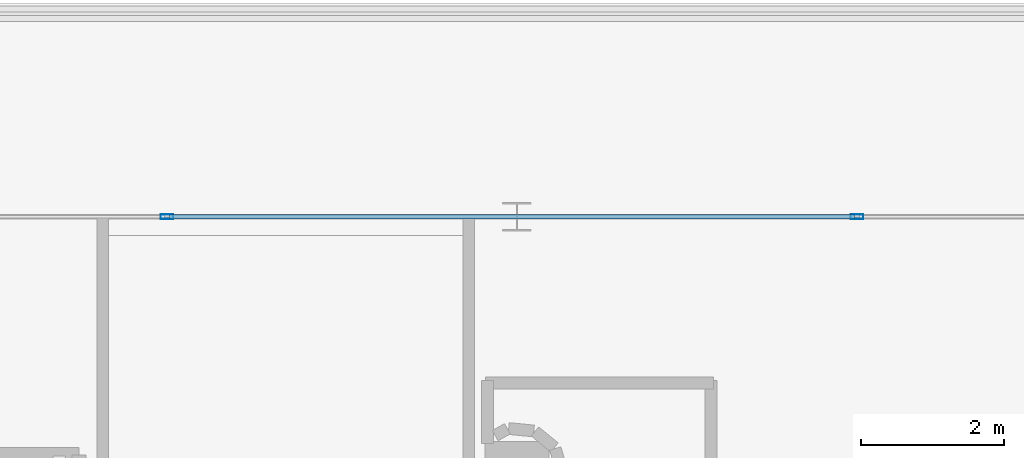
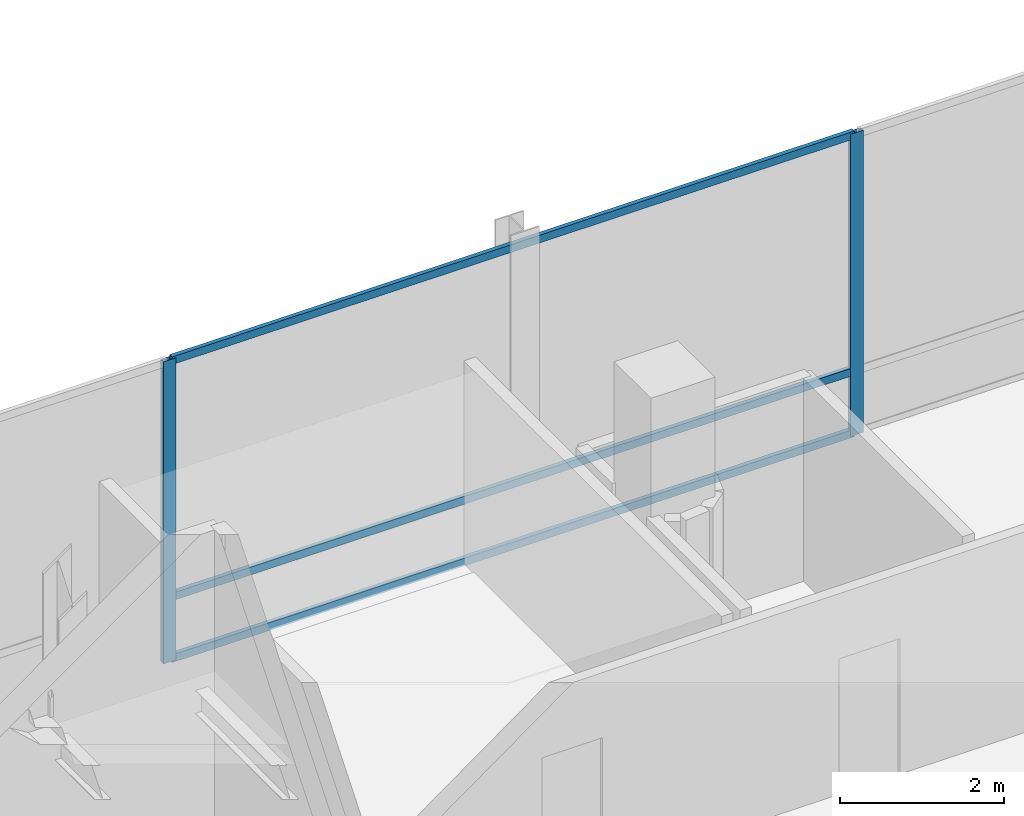
# One storey, part 16 of 39: 5 members, 1 element without a shape of its own.
"""IFC4 building model written with IfcOpenShell, lengths in metres."""

from ifc_helpers import new_model, si_unit, direction, frame, origin, origin_2d, place, context, subcontext, project, spatial, hollow_rectangle, extrude, material, layer, layer_set, material_profile, profile_set, type_object, element, aggregate, save


model = new_model("IFC4")

# Units and contexts
model_context = context("Model", 3, precision=1e-05, world=origin(), true_north=direction((0.0, 1.0)))
body_context = subcontext(model_context, "Body", "Model", "MODEL_VIEW")
ifc_project = project(units=[si_unit("LENGTHUNIT", "METRE"), si_unit("AREAUNIT", "SQUARE_METRE"), si_unit("VOLUMEUNIT", "CUBIC_METRE"), si_unit("PLANEANGLEUNIT", "RADIAN"), si_unit("MASSUNIT", "GRAM", prefix="KILO")], contexts=[model_context])

# Site, building, storey
site_placement = place(None, origin())
site = spatial("IfcSite", under=ifc_project, at=site_placement, CompositionType="ELEMENT")
building_placement = place(site_placement, origin())
building = spatial("IfcBuilding", under=site, at=building_placement, Name="Qianvela Tower", CompositionType="ELEMENT")
storey_placement = place(building_placement, frame((0.0, 0.0, 15.800048828125)))
storey = spatial("IfcBuildingStorey", under=building, at=storey_placement, Name="L03", CompositionType="ELEMENT", Elevation=15.800048828125)

# Curtain wall, members
ifc_material_1 = material(Name="Anodised Architectural Aluminium and Low-E Glass", Category="aluminium")
ifc_layer = layer(ifc_material_1, 0.179931640625)
ifc_layer_set = layer_set([ifc_layer], Name="Anodised Architectural Aluminium and Low-E Glass")
curtain_wall_type = type_object("IfcCurtainWallType", Name="CW-COMMONS", PredefinedType="USERDEFINED", material=ifc_layer_set)
curtain_wall_placement = place(storey_placement, origin())
curtain_wall = element("IfcCurtainWall", 1, at=curtain_wall_placement, inside=storey, type_object=curtain_wall_type, Name="L03 CW-COMMONS Curtain Wall 05", ObjectType="CURTAIN_WALL_SYSTEM", PredefinedType="USERDEFINED")
ifc_material_2 = material(Name="Anodised Architectural Aluminium 6063-T6", Category="aluminium")
ifc_material_profile_1 = material_profile(ifc_material_2, hollow_rectangle(XDim=0.070068359375, YDim=0.179931640625, WallThickness=0.0048828125, at=origin_2d()), Name="ALU-MULL-70x180")
ifc_profile_set_1 = profile_set([ifc_material_profile_1], Name="Anodised Architectural Aluminium 6063-T6")
member_type_1 = type_object("IfcMemberType", Name="CW-COMMONS-MULL", PredefinedType="MULLION", material=ifc_profile_set_1)
member_1_placement = place(storey_placement, frame((27.816650390625, 47.5, 0.0), z_axis=(0.0, 0.0, 1.0), x_axis=(0.0, -1.0, 0.0)))
member_1 = element("IfcMember", 2, at=member_1_placement, type_object=member_type_1, Name="CW-2 mullion 5", PredefinedType="MULLION", context=body_context, shape_type="SweptSolid", body=[
    extrude(hollow_rectangle(XDim=0.070068359375, YDim=0.179931640625, WallThickness=0.0048828125, at=origin_2d()), origin(), (0.0, 0.0, 1.0), 4.5),
])
member_2_placement = place(storey_placement, frame((18.13330078125, 47.5, 0.0), z_axis=(0.0, 0.0, 1.0), x_axis=(0.0, -1.0, 0.0)))
member_2 = element("IfcMember", 3, at=member_2_placement, type_object=member_type_1, Name="CW-2 mullion 6", PredefinedType="MULLION", context=body_context, shape_type="SweptSolid", body=[
    extrude(hollow_rectangle(XDim=0.070068359375, YDim=0.179931640625, WallThickness=0.0048828125, at=origin_2d()), origin(), (0.0, 0.0, 1.0), 4.5),
])
ifc_material_3 = material(Name="Anodised Architectural Aluminium 6063-T6", Category="aluminium")
ifc_material_profile_2 = material_profile(ifc_material_3, hollow_rectangle(XDim=0.06005859375, YDim=0.114990234375, WallThickness=0.00390625, at=origin_2d()), Name="ALU-TRAN-60x115")
ifc_profile_set_2 = profile_set([ifc_material_profile_2], Name="Anodised Architectural Aluminium 6063-T6")
member_type_2 = type_object("IfcMemberType", Name="CW-COMMONS-TRAN", PredefinedType="USERDEFINED", material=ifc_profile_set_2)
member_3_placement = place(storey_placement, frame((27.78173828125, 47.5, 0.030029296875), z_axis=(-1.0, 0.0, 0.0), x_axis=(0.0, -1.0, 0.0)))
member_3 = element("IfcMember", 4, at=member_3_placement, type_object=member_type_2, Name="CW-2 transom 5.1", ObjectType="TRANSOM", PredefinedType="USERDEFINED", context=body_context, shape_type="SweptSolid", body=[
    extrude(hollow_rectangle(XDim=0.06005859375, YDim=0.114990234375, WallThickness=0.00390625, at=origin_2d()), origin(), (0.0, 0.0, 1.0), 9.613525390625),
])
member_4_placement = place(storey_placement, frame((27.78173828125, 47.5, 0.949951171875), z_axis=(-1.0, 0.0, 0.0), x_axis=(0.0, -1.0, 0.0)))
member_4 = element("IfcMember", 5, at=member_4_placement, type_object=member_type_2, Name="CW-2 transom 5.2", ObjectType="TRANSOM", PredefinedType="USERDEFINED", context=body_context, shape_type="SweptSolid", body=[
    extrude(hollow_rectangle(XDim=0.06005859375, YDim=0.114990234375, WallThickness=0.00390625, at=origin_2d()), origin(), (0.0, 0.0, 1.0), 9.613525390625),
])
member_5_placement = place(storey_placement, frame((27.78173828125, 47.5, 4.469970703125), z_axis=(-1.0, 0.0, 0.0), x_axis=(0.0, -1.0, 0.0)))
member_5 = element("IfcMember", 6, at=member_5_placement, type_object=member_type_2, Name="CW-2 transom 5.3", ObjectType="TRANSOM", PredefinedType="USERDEFINED", context=body_context, shape_type="SweptSolid", body=[
    extrude(hollow_rectangle(XDim=0.06005859375, YDim=0.114990234375, WallThickness=0.00390625, at=origin_2d()), origin(), (0.0, 0.0, 1.0), 9.613525390625),
])
aggregate(curtain_wall, [member_1, member_2, member_3, member_4, member_5])

save(model, "model.ifc")
